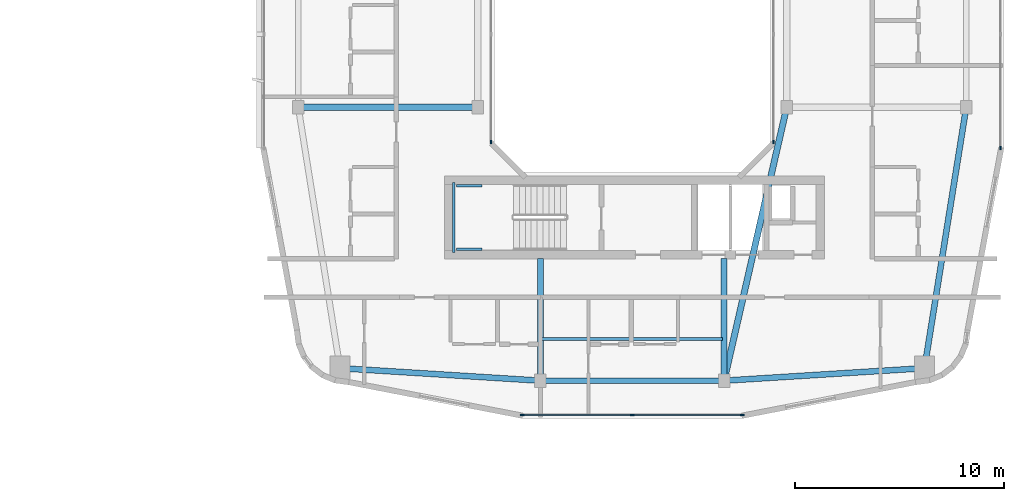
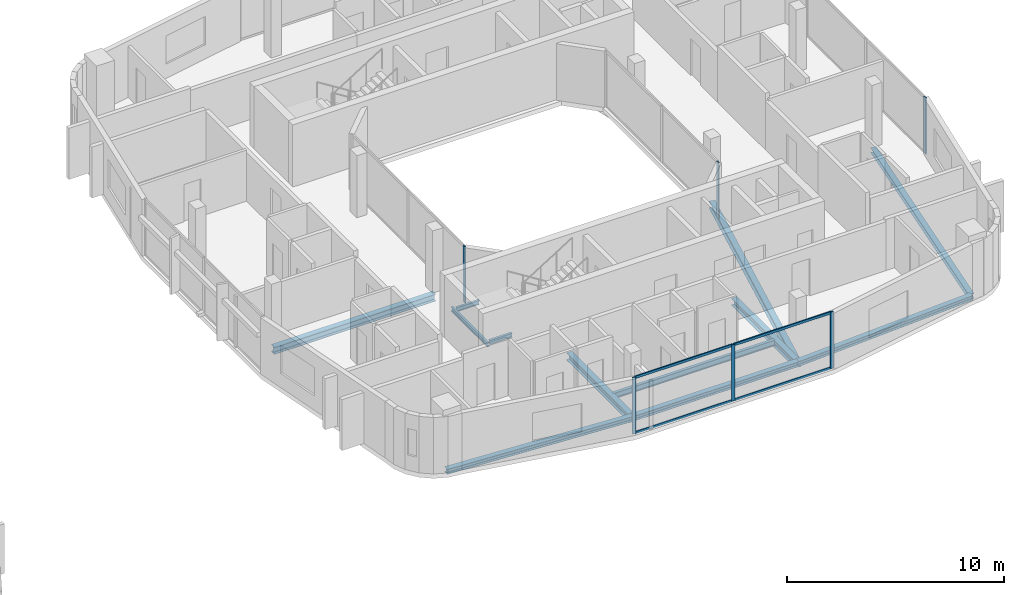
# One storey, part 8 of 26: 12 beams, 10 members, 4 elements without a shape of their own.
"""IFC4 building model written with IfcOpenShell, lengths in metres."""

import ifcopenshell
import ifcopenshell.guid

model = None  # the IFC model being written
_history = None  # IfcOwnerHistory: only IFC2X3 demands one
_inside = {}  # id of a spatial element -> (the spatial element, [elements in it])
_under = {}  # id of a project, library or spatial element -> (it, [spatial elements below it])
_declared = {}  # id of a project -> (the project, [libraries it declares])
_typed = {}  # id of a type object -> (the type object, [elements of that type])
_made_of = {}  # id of a material, layer set ... -> (it, [elements and type objects made of it])


def new_model(schema):
    """Start an empty IFC model of exactly this schema.

    Asked for "IFC4X3", IfcOpenShell would pick the latest addendum, in which some entities
    have other attributes; the version numbers below select the first issue.
    IFC2X3 requires an IfcOwnerHistory on every rooted entity: one is made here for all.
    """
    global model, _history
    if schema == "IFC4X3":
        model = ifcopenshell.file(schema_version=(4, 3, 0, 0))
    else:
        model = ifcopenshell.file(schema=schema)
    _inside.clear()
    _under.clear()
    _declared.clear()
    _typed.clear()
    _made_of.clear()
    _history = None
    if model.schema == "IFC2X3":
        org = make("IfcOrganization", Name="unknown")
        user = make(
            "IfcPersonAndOrganization",
            ThePerson=make("IfcPerson", FamilyName="unknown"),
            TheOrganization=org,
        )
        app = make(
            "IfcApplication",
            ApplicationDeveloper=org,
            Version="unknown",
            ApplicationFullName="unknown",
            ApplicationIdentifier="unknown",
        )
        _history = make(
            "IfcOwnerHistory",
            OwningUser=user,
            OwningApplication=app,
            ChangeAction="ADDED",
            CreationDate=0,
        )
    return model


def make(cls, **values):
    """One entity of the class cls with the attributes given. An attribute that is None is left unset."""
    return model.create_entity(
        cls, **{name: value for name, value in values.items() if value is not None}
    )


def rooted(cls, **values):
    """An entity with a GlobalId (a new one), such as an element, a storey or a relation."""
    return make(cls, GlobalId=ifcopenshell.guid.new(), OwnerHistory=_history, **values)


def si_unit(unit_type, name, prefix=None):
    """IfcSIUnit, for example si_unit("LENGTHUNIT", "METRE", prefix="MILLI")."""
    return make("IfcSIUnit", UnitType=unit_type, Prefix=prefix, Name=name)


def derived_unit(unit_type, elements):
    """IfcDerivedUnit: a product of units, each with its exponent."""
    return make(
        "IfcDerivedUnit",
        Elements=[
            make("IfcDerivedUnitElement", Unit=unit, Exponent=power)
            for unit, power in elements
        ],
        UnitType=unit_type,
    )


def assignment(units):
    """IfcUnitAssignment: the units of a project."""
    return None if units is None else make("IfcUnitAssignment", Units=units)


def point(xyz):
    """IfcCartesianPoint."""
    return None if xyz is None else make("IfcCartesianPoint", Coordinates=xyz)


def direction(xyz):
    """IfcDirection."""
    return None if xyz is None else make("IfcDirection", DirectionRatios=xyz)


def frame(location, z_axis=None, x_axis=None):
    """IfcAxis2Placement3D, a coordinate frame: its origin and axes. An axis left out is left unset."""
    return make(
        "IfcAxis2Placement3D",
        Location=point(location),
        Axis=direction(z_axis),
        RefDirection=direction(x_axis),
    )


def frame_2d(location, x_axis=None):
    """IfcAxis2Placement2D, a coordinate frame in the plane: its origin and x axis."""
    return make(
        "IfcAxis2Placement2D", Location=point(location), RefDirection=direction(x_axis)
    )


def origin():
    """The frame at (0, 0, 0) with its axes left unset."""
    return frame((0.0, 0.0, 0.0))


def origin_2d():
    """The frame at (0, 0) in the plane with its x axis left unset."""
    return frame_2d((0.0, 0.0))


def place(relative_to, where):
    """IfcLocalPlacement: puts the frame where relative to a parent placement (None: the world)."""
    return make(
        "IfcLocalPlacement", PlacementRelTo=relative_to, RelativePlacement=where
    )


def context(
    kind, dimensions, precision=None, world=None, true_north=None, identifier=None
):
    """IfcGeometricRepresentationContext, for example the 3D "Model" context."""
    return make(
        "IfcGeometricRepresentationContext",
        ContextIdentifier=identifier,
        ContextType=kind,
        CoordinateSpaceDimension=dimensions,
        Precision=precision,
        WorldCoordinateSystem=world,
        TrueNorth=true_north,
    )


def subcontext(parent, identifier, kind, view, scale=None):
    """IfcGeometricRepresentationSubContext, for example "Body" below "Model"."""
    return make(
        "IfcGeometricRepresentationSubContext",
        ContextIdentifier=identifier,
        ContextType=kind,
        ParentContext=parent,
        TargetScale=scale,
        TargetView=view,
    )


def project(units=None, contexts=None):
    """IfcProject with its units and contexts."""
    return rooted(
        "IfcProject",
        Name="project",
        RepresentationContexts=contexts,
        UnitsInContext=assignment(units),
    )


def spatial(cls, under=None, at=None, **own):
    """A site, building, storey or space (cls), placed at a placement, below another one or the project."""
    s = rooted(cls, ObjectPlacement=at, **own)
    if under is not None:
        _under.setdefault(under.id(), (under, []))[1].append(s)
    return s


def profile(cls, at=None, kind="AREA", **sizes):
    """A parametric profile (cls). Its sizes go by their IFC names, for example OverallWidth=200.0."""
    return make(cls, ProfileType=kind, Position=at, **sizes)


def rectangle(**sizes):
    """IfcRectangleProfileDef."""
    return profile("IfcRectangleProfileDef", **sizes)


def i_section(**sizes):
    """IfcIShapeProfileDef."""
    return profile("IfcIShapeProfileDef", **sizes)


def extrude(swept, where, along, depth):
    """IfcExtrudedAreaSolid: the profile swept, set in the frame where, extruded along a direction by depth."""
    return make(
        "IfcExtrudedAreaSolid",
        SweptArea=swept,
        Position=where,
        ExtrudedDirection=direction(along),
        Depth=depth,
    )


def shape(context_of_items, identifier, shape_type, items):
    """IfcShapeRepresentation: the items that make up one representation, for example the "Body"."""
    return make(
        "IfcShapeRepresentation",
        ContextOfItems=context_of_items,
        RepresentationIdentifier=identifier,
        RepresentationType=shape_type,
        Items=items,
    )


def material(Name=None, Category=None):
    """IfcMaterial."""
    return make("IfcMaterial", Name=Name, Category=Category)


def layer(
    of_material, thickness, ventilated=None, Name=None, Category=None, Priority=None
):
    """IfcMaterialLayer: one layer of a wall or slab, of a material (None: an air gap)."""
    return make(
        "IfcMaterialLayer",
        Material=of_material,
        LayerThickness=thickness,
        IsVentilated=ventilated,
        Name=Name,
        Category=Category,
        Priority=Priority,
    )


def layer_set(layers, Name=None):
    """IfcMaterialLayerSet."""
    return make("IfcMaterialLayerSet", MaterialLayers=layers, LayerSetName=Name)


def material_profile(
    of_material, cross_section, Name=None, Category=None, Priority=None
):
    """IfcMaterialProfile: a cross section and its material."""
    return make(
        "IfcMaterialProfile",
        Name=Name,
        Material=of_material,
        Profile=cross_section,
        Priority=Priority,
        Category=Category,
    )


def profile_set(profiles, Name=None, composite=None):
    """IfcMaterialProfileSet."""
    return make(
        "IfcMaterialProfileSet",
        Name=Name,
        MaterialProfiles=profiles,
        CompositeProfile=composite,
    )


def made_of(thing, what):
    """Note that an element or type object is made of a material, layer set ...; save() writes the relation."""
    if what is not None:
        _made_of.setdefault(what.id(), (what, []))[1].append(thing)
    return thing


def type_object(cls, material=None, **own):
    """A type object (cls), such as IfcWallType, which elements share."""
    return made_of(rooted(cls, **own), material)


def element(
    cls,
    number,
    at=None,
    inside=None,
    cuts=None,
    type_object=None,
    material=None,
    context=None,
    identifier="Body",
    shape_type=None,
    held_by="IfcProductDefinitionShape",
    body=None,
    shapes=None,
    **own,
):
    """One element of the class cls, such as IfcWall. Its Tag is "e" and its number.

    at: its placement. inside: the storey or other place that contains it. cuts: it is an
    opening in that element (IfcRelVoidsElement). A single representation is given by context,
    identifier, shape_type and body (its items); several are given by shapes. held_by: the class
    of the entity that holds the representations. save() writes the other relations.
    """
    e = rooted(cls, Tag="e%d" % number, ObjectPlacement=at, **own)
    if body is not None:
        shapes = [shape(context, identifier, shape_type, body)]
    if shapes is not None:
        e.Representation = make(held_by, Representations=shapes)
    if inside is not None:
        _inside.setdefault(inside.id(), (inside, []))[1].append(e)
    if cuts is not None:
        rooted(
            "IfcRelVoidsElement", RelatingBuildingElement=cuts, RelatedOpeningElement=e
        )
    if type_object is not None:
        _typed.setdefault(type_object.id(), (type_object, []))[1].append(e)
    return made_of(e, material)


def aggregate(whole, parts):
    """IfcRelAggregates: a whole, such as a stair, and the parts it consists of."""
    return rooted("IfcRelAggregates", RelatingObject=whole, RelatedObjects=parts)


def save(model, path):
    """Write the relations noted so far, then the file.

    IfcRelAggregates (storeys below a building ...), IfcRelContainedInSpatialStructure (elements
    in a storey), IfcRelDefinesByType, IfcRelAssociatesMaterial and IfcRelDeclares: one each for
    every whole, place, type object, material and project.
    """
    for whole, parts in _under.values():
        aggregate(whole, parts)
    for where, things in _inside.values():
        rooted(
            "IfcRelContainedInSpatialStructure",
            RelatedElements=things,
            RelatingStructure=where,
        )
    for kind, things in _typed.values():
        rooted("IfcRelDefinesByType", RelatedObjects=things, RelatingType=kind)
    for what, things in _made_of.values():
        rooted("IfcRelAssociatesMaterial", RelatedObjects=things, RelatingMaterial=what)
    for by, libraries in _declared.values():
        rooted("IfcRelDeclares", RelatingContext=by, RelatedDefinitions=libraries)
    model.write(path)


model = new_model("IFC4")

# Units and contexts
model_context = context("Model", 3, precision=1e-05, world=origin(), true_north=direction((0.0, 1.0)))
body_context = subcontext(model_context, "Body", "Model", "MODEL_VIEW")
ifc_project = project(units=[si_unit("LENGTHUNIT", "METRE"), si_unit("AREAUNIT", "SQUARE_METRE"), si_unit("VOLUMEUNIT", "CUBIC_METRE"), si_unit("PLANEANGLEUNIT", "RADIAN"), si_unit("MASSUNIT", "GRAM", prefix="KILO"), derived_unit("THERMALTRANSMITTANCEUNIT", [(si_unit("POWERUNIT", "WATT"), 1), (si_unit("LENGTHUNIT", "METRE"), -2), (si_unit("THERMODYNAMICTEMPERATUREUNIT", "KELVIN"), -1)])], contexts=[model_context])

# Site, building, storey
site_placement = place(None, origin())
site = spatial("IfcSite", under=ifc_project, at=site_placement, CompositionType="ELEMENT")
building_placement = place(site_placement, origin())
building = spatial("IfcBuilding", under=site, at=building_placement, Name="Kivonza Crest Hotel", CompositionType="ELEMENT")
storey_placement = place(building_placement, frame((0.0, 0.0, 116.0)))
storey = spatial("IfcBuildingStorey", under=building, at=storey_placement, Name="L31", CompositionType="ELEMENT", Elevation=116.0)

# Beams
ifc_material_1 = material(Name="Steel S355", Category="steel")
ifc_material_profile_1 = material_profile(ifc_material_1, i_section(OverallWidth=0.280029296875, OverallDepth=0.280029296875, WebThickness=0.010498046875, FlangeThickness=0.01806640625, FilletRadius=0.02392578125, at=origin_2d()), Name="HEB 280")
ifc_profile_set_1 = profile_set([ifc_material_profile_1], Name="Steel S355")
beam_type_1 = type_object("IfcBeamType", Name="BM-HEB280", PredefinedType="SPANDREL", material=ifc_profile_set_1)
beam_1_placement = place(storey_placement, frame((72.60009765625, 8.39990234375, -0.389892578125), z_axis=(1.0, 0.0, 0.0), x_axis=(0.0, 1.0, 0.0)))
element("IfcBeam", 1, at=beam_1_placement, inside=storey, type_object=beam_type_1, Name="Companion Tower T2 L31 perimeter spandrel S1-S2", PredefinedType="SPANDREL", context=body_context, shape_type="SweptSolid", body=[
    extrude(i_section(OverallWidth=0.280029296875, OverallDepth=0.280029296875, WebThickness=0.010498046875, FlangeThickness=0.01806640625, FilletRadius=0.02392578125, at=origin_2d()), origin(), (0.0, 0.0, 1.0), 8.7998046875),
])
beam_2_placement = place(storey_placement, frame((81.39990234375, 8.39990234375, -0.389892578125), z_axis=(0.998051985873, 0.062387767186, 0.0), x_axis=(-0.062387767186, 0.998051985873, 0.0)))
element("IfcBeam", 2, at=beam_2_placement, inside=storey, type_object=beam_type_1, Name="Companion Tower T2 L31 perimeter spandrel S2-SE", PredefinedType="SPANDREL", context=body_context, shape_type="SweptSolid", body=[
    extrude(i_section(OverallWidth=0.280029296875, OverallDepth=0.280029296875, WebThickness=0.010498046875, FlangeThickness=0.01806640625, FilletRadius=0.02392578125, at=origin_2d()), origin(), (0.0, 0.0, 1.0), 9.618896484375),
])
beam_3_placement = place(storey_placement, frame((91.0, 9.0, -0.389892578125), z_axis=(0.157990501107, 0.987440631917, 0.0), x_axis=(-0.987440631917, 0.157990501107, 0.0)))
element("IfcBeam", 3, at=beam_3_placement, inside=storey, type_object=beam_type_1, Name="Companion Tower T2 L31 perimeter spandrel SE-E1", PredefinedType="SPANDREL", context=body_context, shape_type="SweptSolid", body=[
    extrude(i_section(OverallWidth=0.280029296875, OverallDepth=0.280029296875, WebThickness=0.010498046875, FlangeThickness=0.01806640625, FilletRadius=0.02392578125, at=origin_2d()), origin(), (0.0, 0.0, 1.0), 12.658935546875),
])
beam_4_placement = place(storey_placement, frame((63.0, 9.0, -0.389892578125), z_axis=(0.998051985873, -0.062387767186, 0.0), x_axis=(0.062387767186, 0.998051985873, 0.0)))
element("IfcBeam", 4, at=beam_4_placement, inside=storey, type_object=beam_type_1, Name="Companion Tower T2 L31 perimeter spandrel SW-S1", PredefinedType="SPANDREL", context=body_context, shape_type="SweptSolid", body=[
    extrude(i_section(OverallWidth=0.280029296875, OverallDepth=0.280029296875, WebThickness=0.010498046875, FlangeThickness=0.01806640625, FilletRadius=0.02392578125, at=origin_2d()), origin(), (0.0, 0.0, 1.0), 9.618896484375),
])
ifc_material_profile_2 = material_profile(ifc_material_1, i_section(OverallWidth=0.300048828125, OverallDepth=0.39990234375, WebThickness=0.013427734375, FlangeThickness=0.02392578125, FilletRadius=0.027099609375, at=origin_2d()), Name="HEB 400")
ifc_profile_set_2 = profile_set([ifc_material_profile_2], Name="Steel S355")
beam_type_2 = type_object("IfcBeamType", Name="BM-HEB400", PredefinedType="BEAM", material=ifc_profile_set_2)
beam_5_placement = place(storey_placement, frame((61.0, 21.5, -0.449951171875), z_axis=(1.0, 0.0, 0.0), x_axis=(0.0, 1.0, 0.0)))
element("IfcBeam", 5, at=beam_5_placement, inside=storey, type_object=beam_type_2, Name="Companion Tower T2 L31 girder W1-WL1", PredefinedType="BEAM", context=body_context, shape_type="SweptSolid", body=[
    extrude(i_section(OverallWidth=0.300048828125, OverallDepth=0.39990234375, WebThickness=0.013427734375, FlangeThickness=0.02392578125, FilletRadius=0.027099609375, at=origin_2d()), origin(), (0.0, 0.0, 1.0), 8.60009765625),
])
beam_6_placement = place(storey_placement, frame((84.39990234375, 21.5, -0.449951171875), z_axis=(-0.223227287589, -0.974766422317, 0.0), x_axis=(0.974766422317, -0.223227287589, 0.0)))
element("IfcBeam", 6, at=beam_6_placement, inside=storey, type_object=beam_type_2, Name="Companion Tower T2 L31 girder WR1-S2", PredefinedType="BEAM", context=body_context, shape_type="SweptSolid", body=[
    extrude(i_section(OverallWidth=0.300048828125, OverallDepth=0.39990234375, WebThickness=0.013427734375, FlangeThickness=0.02392578125, FilletRadius=0.027099609375, at=origin_2d()), origin(), (0.0, 0.0, 1.0), 13.439208984375),
])
for number, where, z_axis, x_axis, name in (
    (7, (72.60009765625, 8.39990234375, -0.449951171875), (0.0, 1.0, 0.0), (-1.0, 0.0, 0.0), "Companion T2 L31 radial core girder RS1"),
    (8, (81.39990234375, 8.39990234375, -0.449951171875), (0.0, 1.0, 0.0), (-1.0, 0.0, 0.0), "Companion T2 L31 radial core girder RS2"),
):
    element("IfcBeam", number, at=place(storey_placement, frame(where, z_axis=z_axis, x_axis=x_axis)), inside=storey, type_object=beam_type_2, Name=name, PredefinedType="BEAM", context=body_context, shape_type="SweptSolid", body=[
        extrude(i_section(OverallWidth=0.300048828125, OverallDepth=0.39990234375, WebThickness=0.013427734375, FlangeThickness=0.02392578125, FilletRadius=0.027099609375, at=origin_2d()), origin(), (0.0, 0.0, 1.0), 5.85009765625),
    ])
ifc_material_profile_3 = material_profile(ifc_material_1, i_section(OverallWidth=0.159912109375, OverallDepth=0.330078125, WebThickness=0.007568359375, FlangeThickness=0.011474609375, FilletRadius=0.01806640625, at=origin_2d()), Name="IPE 330")
ifc_profile_set_3 = profile_set([ifc_material_profile_3], Name="Steel S355")
beam_type_3 = type_object("IfcBeamType", Name="BM-IPE330", PredefinedType="JOIST", material=ifc_profile_set_3)
beam_7_placement = place(storey_placement, frame((72.679931640625, 10.39990234375, -0.4150390625), z_axis=(1.0, 0.0, 0.0), x_axis=(0.0, 1.0, 0.0)))
element("IfcBeam", 9, at=beam_7_placement, inside=storey, type_object=beam_type_3, Name="Companion Tower T2 L31 South floor joist", PredefinedType="JOIST", context=body_context, shape_type="SweptSolid", body=[
    extrude(i_section(OverallWidth=0.159912109375, OverallDepth=0.330078125, WebThickness=0.007568359375, FlangeThickness=0.011474609375, FilletRadius=0.01806640625, at=origin_2d()), origin(), (0.0, 0.0, 1.0), 8.64013671875),
])
ifc_material_profile_4 = material_profile(ifc_material_1, i_section(OverallWidth=0.1201171875, OverallDepth=0.239990234375, WebThickness=0.006103515625, FlangeThickness=0.009765625, FilletRadius=0.014892578125, at=origin_2d()), Name="IPE 240")
ifc_profile_set_4 = profile_set([ifc_material_profile_4], Name="Steel S355")
beam_type_4 = type_object("IfcBeamType", Name="BM-LLDG-240", PredefinedType="BEAM", material=ifc_profile_set_4)
beam_8_placement = place(storey_placement, frame((68.4599609375, 14.5400390625, 1.429931640625), z_axis=(0.0, 1.0, 0.0), x_axis=(-1.0, 0.0, 0.0)))
element("IfcBeam", 10, at=beam_8_placement, inside=storey, type_object=beam_type_4, Name="Stair ST-T2-S L31 West landing corbel", PredefinedType="BEAM", context=body_context, shape_type="SweptSolid", body=[
    extrude(i_section(OverallWidth=0.1201171875, OverallDepth=0.239990234375, WebThickness=0.006103515625, FlangeThickness=0.009765625, FilletRadius=0.014892578125, at=origin_2d()), origin(), (0.0, 0.0, 1.0), 3.35986328125),
])
for number, where, z_axis, x_axis, name in (
    (11, (68.590087890625, 14.699951171875, 1.429931640625), (1.0, 0.0, 0.0), (0.0, 1.0, 0.0), "Stair ST-T2-S L31 South landing corbel"),
    (12, (68.590087890625, 17.739990234375, 1.429931640625), (1.0, 0.0, 0.0), (0.0, 1.0, 0.0), "Stair ST-T2-S L31 North landing corbel"),
):
    element("IfcBeam", number, at=place(storey_placement, frame(where, z_axis=z_axis, x_axis=x_axis)), inside=storey, type_object=beam_type_4, Name=name, PredefinedType="BEAM", context=body_context, shape_type="SweptSolid", body=[
        extrude(i_section(OverallWidth=0.1201171875, OverallDepth=0.239990234375, WebThickness=0.006103515625, FlangeThickness=0.009765625, FilletRadius=0.014892578125, at=origin_2d()), origin(), (0.0, 0.0, 1.0), 1.2099609375),
    ])

# Curtain wall, members
ifc_material_2 = material(Name="Anodised bronze aluminium and low-E double glazing", Category="aluminium")
ifc_layer_1 = layer(ifc_material_2, 0.179931640625)
ifc_layer_set_1 = layer_set([ifc_layer_1], Name="Anodised bronze aluminium and low-E double glazing")
curtain_wall_type_1 = type_object("IfcCurtainWallType", Name="CW-SYS-4", PredefinedType="NOTDEFINED", material=ifc_layer_set_1)
curtain_wall_1_placement = place(storey_placement, origin())
curtain_wall_1 = element("IfcCurtainWall", 13, at=curtain_wall_1_placement, inside=storey, type_object=curtain_wall_type_1, Name="L31 unitised curtain wall CW-T2-L31-08", PredefinedType="NOTDEFINED")
ifc_material_3 = material(Name="Anodised bronze aluminium", Category="aluminium")
ifc_material_profile_5 = material_profile(ifc_material_3, rectangle(XDim=0.06494140625, YDim=0.179931640625, at=origin_2d()), Name="CW-M 65x180")
ifc_profile_set_5 = profile_set([ifc_material_profile_5], Name="Anodised bronze aluminium")
member_type_1 = type_object("IfcMemberType", Name="CW-MUL-65x180", PredefinedType="MULLION", material=ifc_profile_set_5)
member_1_placement = place(storey_placement, frame((71.732421875, 6.760009765625, 0.0), z_axis=(0.0, 0.0, 1.0), x_axis=(0.0, 1.0, 0.0)))
member_1 = element("IfcMember", 14, at=member_1_placement, type_object=member_type_1, Name="CW-4 mullion 1", PredefinedType="MULLION", context=body_context, shape_type="SweptSolid", body=[
    extrude(rectangle(XDim=0.06494140625, YDim=0.179931640625, at=origin_2d()), origin(), (0.0, 0.0, 1.0), 3.179931640625),
])
member_2_placement = place(storey_placement, frame((77.0, 6.760009765625, 0.0), z_axis=(0.0, 0.0, 1.0), x_axis=(0.0, 1.0, 0.0)))
member_2 = element("IfcMember", 15, at=member_2_placement, type_object=member_type_1, Name="CW-4 mullion 2", PredefinedType="MULLION", context=body_context, shape_type="SweptSolid", body=[
    extrude(rectangle(XDim=0.06494140625, YDim=0.179931640625, at=origin_2d()), origin(), (0.0, 0.0, 1.0), 3.179931640625),
])
member_3_placement = place(storey_placement, frame((82.267578125, 6.760009765625, 0.0), z_axis=(0.0, 0.0, 1.0), x_axis=(0.0, 1.0, 0.0)))
member_3 = element("IfcMember", 16, at=member_3_placement, type_object=member_type_1, Name="CW-4 mullion 3", PredefinedType="MULLION", context=body_context, shape_type="SweptSolid", body=[
    extrude(rectangle(XDim=0.06494140625, YDim=0.179931640625, at=origin_2d()), origin(), (0.0, 0.0, 1.0), 3.179931640625),
])

# Curtain wall, member
curtain_wall_2_placement = place(storey_placement, origin())
curtain_wall_2 = element("IfcCurtainWall", 17, at=curtain_wall_2_placement, inside=storey, type_object=curtain_wall_type_1, Name="L31 unitised curtain wall CW-T2-L31-17", PredefinedType="NOTDEFINED")
member_4_placement = place(storey_placement, frame((94.639892578125, 19.552490234375, 0.0), z_axis=(0.0, 0.0, 1.0), x_axis=(-1.0, 0.0, 0.0)))
member_4 = element("IfcMember", 18, at=member_4_placement, type_object=member_type_1, Name="CW-4 mullion 1", PredefinedType="MULLION", context=body_context, shape_type="SweptSolid", body=[
    extrude(rectangle(XDim=0.06494140625, YDim=0.179931640625, at=origin_2d()), origin(), (0.0, 0.0, 1.0), 3.179931640625),
])
aggregate(curtain_wall_2, [member_4])

ifc_layer_2 = layer(ifc_material_2, 0.159912109375)
ifc_layer_set_2 = layer_set([ifc_layer_2], Name="Anodised bronze aluminium and low-E double glazing")
curtain_wall_type_2 = type_object("IfcCurtainWallType", Name="CW-SYS-5", PredefinedType="NOTDEFINED", material=ifc_layer_set_2)
curtain_wall_3_placement = place(storey_placement, origin())
curtain_wall_3 = element("IfcCurtainWall", 19, at=curtain_wall_3_placement, inside=storey, type_object=curtain_wall_type_2, Name="L31 unitised curtain wall CW-WELL-T2-L31-3", PredefinedType="NOTDEFINED")
member_5_placement = place(storey_placement, frame((83.760009765625, 19.83251953125, 0.0), z_axis=(0.0, 0.0, 1.0), x_axis=(-1.0, 0.0, 0.0)))
member_5 = element("IfcMember", 20, at=member_5_placement, type_object=member_type_1, Name="CW-5 mullion 1", PredefinedType="MULLION", context=body_context, shape_type="SweptSolid", body=[
    extrude(rectangle(XDim=0.06494140625, YDim=0.179931640625, at=origin_2d()), origin(), (0.0, 0.0, 1.0), 3.179931640625),
])
aggregate(curtain_wall_3, [member_5])

curtain_wall_4_placement = place(storey_placement, origin())
curtain_wall_4 = element("IfcCurtainWall", 21, at=curtain_wall_4_placement, inside=storey, type_object=curtain_wall_type_2, Name="L31 unitised curtain wall CW-WELL-T2-L31-7", PredefinedType="NOTDEFINED")
member_6_placement = place(storey_placement, frame((70.239990234375, 19.83251953125, 0.0), z_axis=(0.0, 0.0, 1.0), x_axis=(1.0, 0.0, 0.0)))
member_6 = element("IfcMember", 22, at=member_6_placement, type_object=member_type_1, Name="CW-5 mullion 3", PredefinedType="MULLION", context=body_context, shape_type="SweptSolid", body=[
    extrude(rectangle(XDim=0.06494140625, YDim=0.179931640625, at=origin_2d()), origin(), (0.0, 0.0, 1.0), 3.179931640625),
])
aggregate(curtain_wall_4, [member_6])

# Member
ifc_material_profile_6 = material_profile(ifc_material_3, rectangle(XDim=0.06494140625, YDim=0.139892578125, at=origin_2d()), Name="CW-T 65x140")
ifc_profile_set_6 = profile_set([ifc_material_profile_6], Name="Anodised bronze aluminium")
member_type_2 = type_object("IfcMemberType", Name="CW-TRN-65x140", PredefinedType="USERDEFINED", material=ifc_profile_set_6)
member_7_placement = place(storey_placement, frame((71.764892578125, 6.760009765625, 0.032470703125), z_axis=(1.0, 0.0, 0.0), x_axis=(0.0, 1.0, 0.0)))
member_7 = element("IfcMember", 23, at=member_7_placement, type_object=member_type_2, Name="CW-4 transom 1.1", ObjectType="TRANSOM", PredefinedType="USERDEFINED", context=body_context, shape_type="SweptSolid", body=[
    extrude(rectangle(XDim=0.06494140625, YDim=0.139892578125, at=origin_2d()), origin(), (0.0, 0.0, 1.0), 5.20263671875),
])

member_8_placement = place(storey_placement, frame((71.764892578125, 6.760009765625, 3.1474609375), z_axis=(1.0, 0.0, 0.0), x_axis=(0.0, 1.0, 0.0)))
member_8 = element("IfcMember", 24, at=member_8_placement, type_object=member_type_2, Name="CW-4 transom 1.2", ObjectType="TRANSOM", PredefinedType="USERDEFINED", context=body_context, shape_type="SweptSolid", body=[
    extrude(rectangle(XDim=0.06494140625, YDim=0.139892578125, at=origin_2d()), origin(), (0.0, 0.0, 1.0), 5.20263671875),
])

member_9_placement = place(storey_placement, frame((77.032470703125, 6.760009765625, 0.032470703125), z_axis=(1.0, 0.0, 0.0), x_axis=(0.0, 1.0, 0.0)))
member_9 = element("IfcMember", 25, at=member_9_placement, type_object=member_type_2, Name="CW-4 transom 2.1", ObjectType="TRANSOM", PredefinedType="USERDEFINED", context=body_context, shape_type="SweptSolid", body=[
    extrude(rectangle(XDim=0.06494140625, YDim=0.139892578125, at=origin_2d()), origin(), (0.0, 0.0, 1.0), 5.20263671875),
])

member_10_placement = place(storey_placement, frame((77.032470703125, 6.760009765625, 3.1474609375), z_axis=(1.0, 0.0, 0.0), x_axis=(0.0, 1.0, 0.0)))
member_10 = element("IfcMember", 26, at=member_10_placement, type_object=member_type_2, Name="CW-4 transom 2.2", ObjectType="TRANSOM", PredefinedType="USERDEFINED", context=body_context, shape_type="SweptSolid", body=[
    extrude(rectangle(XDim=0.06494140625, YDim=0.139892578125, at=origin_2d()), origin(), (0.0, 0.0, 1.0), 5.20263671875),
])

aggregate(curtain_wall_1, [member_1, member_2, member_3, member_7, member_8, member_9, member_10])

save(model, "model.ifc")
